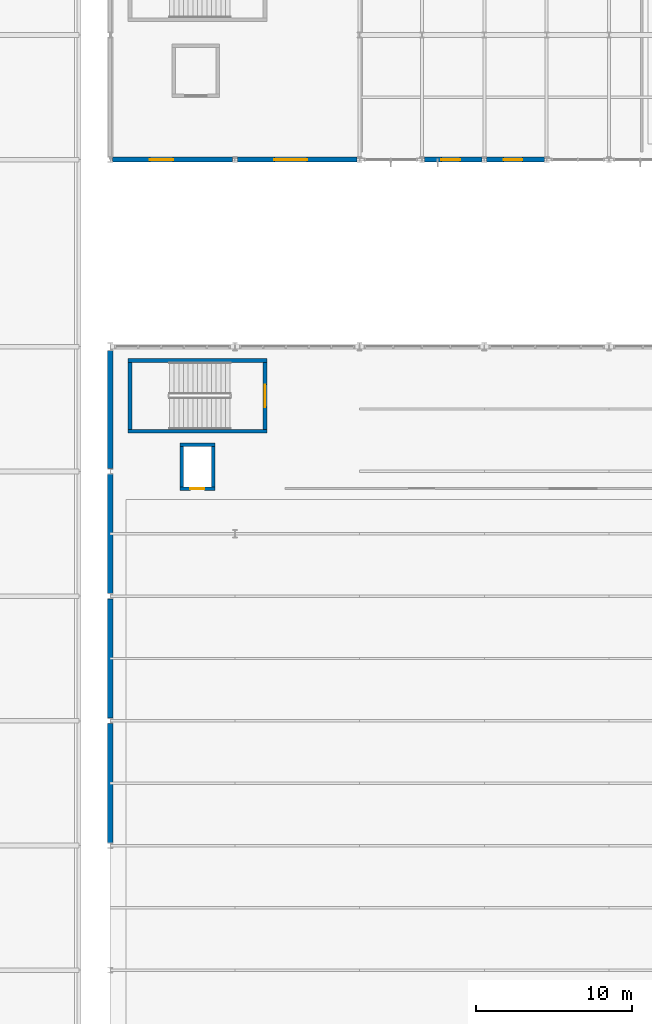
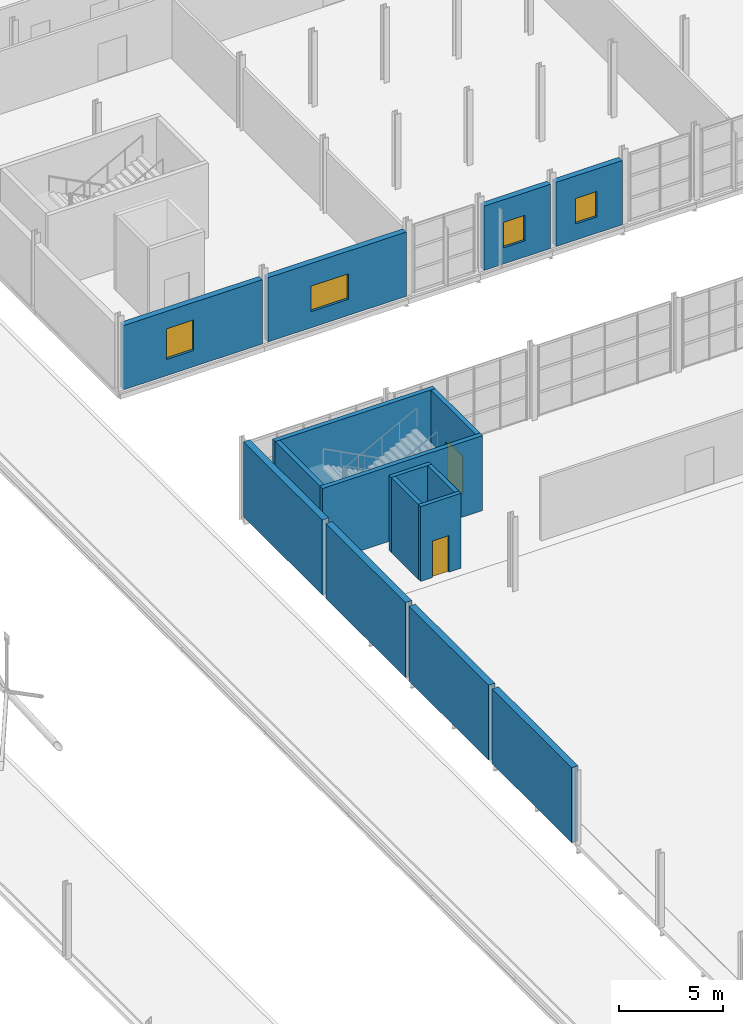
# One storey, part 137 of 153: 16 walls, 4 windows, 2 doors, 6 openings.
"""IFC4 building model written with IfcOpenShell, lengths in metres."""

from ifc_helpers import new_model, si_unit, derived_unit, direction, frame, frame_2d, origin, place, context, subcontext, project, spatial, rectangle, extrude, material, layer, layer_set, type_object, element, fill, save


model = new_model("IFC4")

# Units and contexts
model_context = context("Model", 3, precision=1e-05, world=origin(), true_north=direction((0.0, 1.0)))
body_context = subcontext(model_context, "Body", "Model", "MODEL_VIEW")
ifc_project = project(units=[si_unit("LENGTHUNIT", "METRE"), si_unit("AREAUNIT", "SQUARE_METRE"), si_unit("VOLUMEUNIT", "CUBIC_METRE"), si_unit("PLANEANGLEUNIT", "RADIAN"), si_unit("MASSUNIT", "GRAM", prefix="KILO"), derived_unit("THERMALTRANSMITTANCEUNIT", [(si_unit("POWERUNIT", "WATT"), 1), (si_unit("LENGTHUNIT", "METRE"), -2), (si_unit("THERMODYNAMICTEMPERATUREUNIT", "KELVIN"), -1)])], contexts=[model_context])

# Site, building, storey
site_placement = place(None, origin())
site = spatial("IfcSite", under=ifc_project, at=site_placement, CompositionType="ELEMENT")
building_placement = place(site_placement, origin())
building = spatial("IfcBuilding", under=site, at=building_placement, Name="Keldorne Ridge Multi-Sports Centre", CompositionType="ELEMENT")
storey_placement = place(building_placement, frame((0.0, 0.0, 9.60009765625)))
storey = spatial("IfcBuildingStorey", under=building, at=storey_placement, Name="L02", CompositionType="ELEMENT", Elevation=9.60009765625)

# Wall, opening, window
ifc_material_1 = material(Name="Precast concrete C40/50", Category="concrete")
ifc_layer_1 = layer(ifc_material_1, 0.320068359375)
ifc_layer_set_1 = layer_set([ifc_layer_1], Name="Precast concrete C40/50")
wall_type_1 = type_object("IfcWallType", Name="WAL-PR-W1", PredefinedType="STANDARD", material=ifc_layer_set_1)
wall_1_placement = place(storey_placement, frame((104.152099609375, 66.0, 0.0), z_axis=(0.0, 0.0, 1.0), x_axis=(1.0, 0.0, 0.0)))
wall_1 = element("IfcWall", 1, at=wall_1_placement, inside=storey, type_object=wall_type_1, Name="East Wing L02 south facade 1", PredefinedType="STANDARD", context=body_context, shape_type="SweptSolid", body=[
    extrude(rectangle(XDim=7.69580078125, YDim=0.320068359375, at=frame_2d((3.847900390625, 0.0))), origin(), (0.0, 0.0, 1.0), 3.77490234375),
])
opening_1_placement = place(wall_1_placement, frame((2.387939453125, 0.0, 0.949951171875)))
opening_1 = element("IfcOpeningElement", 2, at=opening_1_placement, cuts=wall_1, Name="Opening W-05", PredefinedType="OPENING", context=body_context, shape_type="SweptSolid", body=[
    extrude(rectangle(XDim=1.5, YDim=1.800048828125, at=frame_2d((0.75, 0.89990234375))), frame((0.0, 0.169921875, 0.0), z_axis=(0.0, -1.0, 0.0), x_axis=(1.0, 0.0, 0.0)), (0.0, 0.0, 1.0), 0.340087890625),
])
ifc_material_2 = material(Name="Anodized aluminium", Category="aluminium")
window_type_1 = type_object("IfcWindowType", Name="WIN-W-05", PartitioningType="SINGLE_PANEL", PredefinedType="WINDOW", material=ifc_material_2)
window_1_placement = place(opening_1_placement, origin())
window_1 = element("IfcWindow", 3, at=window_1_placement, inside=storey, type_object=window_type_1, Name="East Wing L02 south window W-073", OverallHeight=1.800048828125, OverallWidth=1.5, PartitioningType="SINGLE_PANEL", PredefinedType="WINDOW", context=body_context, shape_type="SweptSolid", body=[
    extrude(rectangle(XDim=1.5, YDim=1.800048828125, at=frame_2d((0.75, 0.89990234375))), frame((0.0, 0.030029296875, 0.0), z_axis=(0.0, -1.0, 0.0), x_axis=(1.0, 0.0, 0.0)), (0.0, 0.0, 1.0), 0.06005859375),
])
fill(opening_1, window_1)

wall_2_placement = place(storey_placement, frame((112.152099609375, 66.0, 0.0), z_axis=(0.0, 0.0, 1.0), x_axis=(1.0, 0.0, 0.0)))
wall_2 = element("IfcWall", 4, at=wall_2_placement, inside=storey, type_object=wall_type_1, Name="East Wing L02 south facade 2", PredefinedType="STANDARD", context=body_context, shape_type="SweptSolid", body=[
    extrude(rectangle(XDim=7.69580078125, YDim=0.320068359375, at=frame_2d((3.847900390625, 0.0))), origin(), (0.0, 0.0, 1.0), 3.77490234375),
])
opening_2_placement = place(wall_2_placement, frame((2.387939453125, 0.0, 0.949951171875)))
opening_2 = element("IfcOpeningElement", 5, at=opening_2_placement, cuts=wall_2, Name="Opening W-06", PredefinedType="OPENING", context=body_context, shape_type="SweptSolid", body=[
    extrude(rectangle(XDim=2.10009765625, YDim=1.5, at=frame_2d((1.050048828125, 0.75))), frame((0.0, 0.169921875, 0.0), z_axis=(0.0, -1.0, 0.0), x_axis=(1.0, 0.0, 0.0)), (0.0, 0.0, 1.0), 0.340087890625),
])
window_type_2 = type_object("IfcWindowType", Name="WIN-W-06", PartitioningType="DOUBLE_PANEL_VERTICAL", PredefinedType="WINDOW", material=ifc_material_2)
window_2_placement = place(opening_2_placement, origin())
window_2 = element("IfcWindow", 6, at=window_2_placement, inside=storey, type_object=window_type_2, Name="East Wing L02 south window W-074", OverallHeight=1.5, OverallWidth=2.10009765625, PartitioningType="SINGLE_PANEL", PredefinedType="WINDOW", context=body_context, shape_type="SweptSolid", body=[
    extrude(rectangle(XDim=2.10009765625, YDim=1.5, at=frame_2d((1.050048828125, 0.75))), frame((0.0, 0.030029296875, 0.0), z_axis=(0.0, -1.0, 0.0), x_axis=(1.0, 0.0, 0.0)), (0.0, 0.0, 1.0), 0.06005859375),
])
fill(opening_2, window_2)

wall_3_placement = place(storey_placement, frame((124.152099609375, 66.0, 0.0), z_axis=(0.0, 0.0, 1.0), x_axis=(1.0, 0.0, 0.0)))
wall_3 = element("IfcWall", 7, at=wall_3_placement, inside=storey, type_object=wall_type_1, Name="East Wing L02 south facade 4", PredefinedType="STANDARD", context=body_context, shape_type="SweptSolid", body=[
    extrude(rectangle(XDim=3.69580078125, YDim=0.320068359375, at=frame_2d((1.847900390625, 0.0))), origin(), (0.0, 0.0, 1.0), 3.77490234375),
])
opening_3_placement = place(wall_3_placement, frame((1.087890625, 0.0, 0.949951171875)))
opening_3 = element("IfcOpeningElement", 8, at=opening_3_placement, cuts=wall_3, Name="Opening W-03", PredefinedType="OPENING", context=body_context, shape_type="SweptSolid", body=[
    extrude(rectangle(XDim=1.199951171875, YDim=1.5, at=frame_2d((0.60009765625, 0.75))), frame((0.0, 0.169921875, 0.0), z_axis=(0.0, -1.0, 0.0), x_axis=(1.0, 0.0, 0.0)), (0.0, 0.0, 1.0), 0.340087890625),
])
window_type_3 = type_object("IfcWindowType", Name="WIN-W-03", PartitioningType="SINGLE_PANEL", PredefinedType="WINDOW", material=ifc_material_2)
window_3_placement = place(opening_3_placement, origin())
window_3 = element("IfcWindow", 9, at=window_3_placement, inside=storey, type_object=window_type_3, Name="East Wing L02 south window W-075", OverallHeight=1.5, OverallWidth=1.199951171875, PartitioningType="SINGLE_PANEL", PredefinedType="WINDOW", context=body_context, shape_type="SweptSolid", body=[
    extrude(rectangle(XDim=1.199951171875, YDim=1.5, at=frame_2d((0.60009765625, 0.75))), frame((0.0, 0.030029296875, 0.0), z_axis=(0.0, -1.0, 0.0), x_axis=(1.0, 0.0, 0.0)), (0.0, 0.0, 1.0), 0.06005859375),
])
fill(opening_3, window_3)

wall_4_placement = place(storey_placement, frame((128.152099609375, 66.0, 0.0), z_axis=(0.0, 0.0, 1.0), x_axis=(1.0, 0.0, 0.0)))
wall_4 = element("IfcWall", 10, at=wall_4_placement, inside=storey, type_object=wall_type_1, Name="East Wing L02 south facade 5", PredefinedType="STANDARD", context=body_context, shape_type="SweptSolid", body=[
    extrude(rectangle(XDim=3.69580078125, YDim=0.320068359375, at=frame_2d((1.847900390625, 0.0))), origin(), (0.0, 0.0, 1.0), 3.77490234375),
])
opening_4_placement = place(wall_4_placement, frame((1.087890625, 0.0, 0.949951171875)))
opening_4 = element("IfcOpeningElement", 11, at=opening_4_placement, cuts=wall_4, Name="Opening W-03", PredefinedType="OPENING", context=body_context, shape_type="SweptSolid", body=[
    extrude(rectangle(XDim=1.199951171875, YDim=1.5, at=frame_2d((0.60009765625, 0.75))), frame((0.0, 0.169921875, 0.0), z_axis=(0.0, -1.0, 0.0), x_axis=(1.0, 0.0, 0.0)), (0.0, 0.0, 1.0), 0.340087890625),
])
window_4_placement = place(opening_4_placement, origin())
window_4 = element("IfcWindow", 12, at=window_4_placement, inside=storey, type_object=window_type_3, Name="East Wing L02 south window W-076", OverallHeight=1.5, OverallWidth=1.199951171875, PartitioningType="SINGLE_PANEL", PredefinedType="WINDOW", context=body_context, shape_type="SweptSolid", body=[
    extrude(rectangle(XDim=1.199951171875, YDim=1.5, at=frame_2d((0.60009765625, 0.75))), frame((0.0, 0.030029296875, 0.0), z_axis=(0.0, -1.0, 0.0), x_axis=(1.0, 0.0, 0.0)), (0.0, 0.0, 1.0), 0.06005859375),
])
fill(opening_4, window_4)

# Walls
ifc_layer_2 = layer(ifc_material_1, 0.360107421875)
ifc_layer_set_2 = layer_set([ifc_layer_2], Name="Precast concrete C40/50")
wall_type_2 = type_object("IfcWallType", Name="WAL-PR-W2", PredefinedType="STANDARD", material=ifc_layer_set_2)
for number, where, z_axis, x_axis, name in (
    (13, (104.0, 29.827880859375, 0.0), (0.0, 0.0, 1.0), (0.0, -1.0, 0.0), "Stacked Courts movement-joint wall L02.3"),
    (14, (104.0, 37.827880859375, 0.0), (0.0, 0.0, 1.0), (0.0, -1.0, 0.0), "Stacked Courts movement-joint wall L02.4"),
    (15, (104.0, 45.827880859375, 0.0), (0.0, 0.0, 1.0), (0.0, -1.0, 0.0), "Stacked Courts movement-joint wall L02.5"),
):
    element("IfcWall", number, at=place(storey_placement, frame(where, z_axis=z_axis, x_axis=x_axis)), inside=storey, type_object=wall_type_2, Name=name, PredefinedType="STANDARD", context=body_context, shape_type="SweptSolid", body=[
        extrude(rectangle(XDim=7.65576171875, YDim=0.360107421875, at=frame_2d((3.827880859375, 0.0))), origin(), (0.0, 0.0, 1.0), 4.39990234375),
    ])
wall_5_placement = place(storey_placement, frame((104.0, 53.748046875, 0.0), z_axis=(0.0, 0.0, 1.0), x_axis=(0.0, -1.0, 0.0)))
element("IfcWall", 16, at=wall_5_placement, inside=storey, type_object=wall_type_2, Name="Stacked Courts movement-joint wall L02.6", PredefinedType="STANDARD", context=body_context, shape_type="SweptSolid", body=[
    extrude(rectangle(XDim=7.575927734375, YDim=0.360107421875, at=frame_2d((3.7880859375, 0.0))), origin(), (0.0, 0.0, 1.0), 4.39990234375),
])

# Wall, opening, door
ifc_material_3 = material(Name="Concrete C40/50", Category="concrete")
ifc_layer_3 = layer(ifc_material_3, 0.25)
ifc_layer_set_3 = layer_set([ifc_layer_3], Name="Concrete C40/50")
wall_type_3 = type_object("IfcWallType", Name="WAL-SW01", PredefinedType="SHEAR", material=ifc_layer_set_3)
wall_6_placement = place(storey_placement, frame((113.925048828125, 48.699951171875, 0.0), z_axis=(0.0, 0.0, 1.0), x_axis=(0.0, 1.0, 0.0)))
wall_6 = element("IfcWall", 17, at=wall_6_placement, inside=storey, type_object=wall_type_3, Name="Stair ST-04 shaft wall L02 NEAR", PredefinedType="SHEAR", context=body_context, shape_type="SweptSolid", body=[
    extrude(rectangle(XDim=4.300048828125, YDim=0.25, at=frame_2d((2.14990234375, 0.0))), origin(), (0.0, 0.0, 1.0), 4.39990234375),
])
opening_5_placement = place(wall_6_placement, frame((1.425048828125, 0.0, 0.0)))
opening_5 = element("IfcOpeningElement", 18, at=opening_5_placement, cuts=wall_6, Name="Opening D-05", PredefinedType="OPENING", context=body_context, shape_type="SweptSolid", body=[
    extrude(rectangle(XDim=1.449951171875, YDim=2.199951171875, at=frame_2d((0.72509765625, 1.10009765625))), frame((0.0, 0.135009765625, 0.0), z_axis=(0.0, -1.0, 0.0), x_axis=(1.0, 0.0, 0.0)), (0.0, 0.0, 1.0), 0.27001953125),
])
ifc_material_4 = material(Name="Steel fire-resisting pair", Category="steel")
door_type_1 = type_object("IfcDoorType", Name="DR-D-05", OperationType="NOTDEFINED", PredefinedType="DOOR", material=ifc_material_4)
door_1_placement = place(opening_5_placement, origin())
door_1 = element("IfcDoor", 19, at=door_1_placement, inside=storey, type_object=door_type_1, Name="Stair ST-04 L02 fire door D-021", OperationType="DOUBLE_DOOR_SINGLE_SWING", OverallHeight=2.199951171875, OverallWidth=1.449951171875, PredefinedType="DOOR", context=body_context, shape_type="SweptSolid", body=[
    extrude(rectangle(XDim=1.449951171875, YDim=2.199951171875, at=frame_2d((0.72509765625, 1.10009765625))), frame((0.0, 0.02490234375, 0.0), z_axis=(0.0, -1.0, 0.0), x_axis=(1.0, 0.0, 0.0)), (0.0, 0.0, 1.0), 0.050048828125),
])
fill(opening_5, door_1)

# Walls
wall_7_placement = place(storey_placement, frame((105.27490234375, 53.0, 0.0), z_axis=(0.0, 0.0, 1.0), x_axis=(0.0, -1.0, 0.0)))
element("IfcWall", 20, at=wall_7_placement, inside=storey, type_object=wall_type_3, Name="Stair ST-04 shaft wall L02 FAR", PredefinedType="SHEAR", context=body_context, shape_type="SweptSolid", body=[
    extrude(rectangle(XDim=4.300048828125, YDim=0.25, at=frame_2d((2.14990234375, 0.0))), origin(), (0.0, 0.0, 1.0), 4.39990234375),
])
for number, where, z_axis, x_axis, name in (
    (21, (105.14990234375, 48.574951171875, 0.0), (0.0, 0.0, 1.0), (1.0, 0.0, 0.0), "Stair ST-04 shaft wall L02 SOUTH"),
    (22, (114.050048828125, 53.125, 0.0), (0.0, 0.0, 1.0), (-1.0, 0.0, 0.0), "Stair ST-04 shaft wall L02 NORTH"),
):
    element("IfcWall", number, at=place(storey_placement, frame(where, z_axis=z_axis, x_axis=x_axis)), inside=storey, type_object=wall_type_3, Name=name, PredefinedType="SHEAR", context=body_context, shape_type="SweptSolid", body=[
        extrude(rectangle(XDim=8.900146484375, YDim=0.25, at=frame_2d((4.4501953125, 0.0))), origin(), (0.0, 0.0, 1.0), 4.39990234375),
    ])

# Wall, opening, door
ifc_layer_4 = layer(ifc_material_3, 0.22998046875)
ifc_layer_set_4 = layer_set([ifc_layer_4], Name="Concrete C40/50")
wall_type_4 = type_object("IfcWallType", Name="WAL-SW02", PredefinedType="SHEAR", material=ifc_layer_set_4)
wall_8_placement = place(storey_placement, frame((108.47998046875, 44.889892578125, 0.0), z_axis=(0.0, 0.0, 1.0), x_axis=(1.0, 0.0, 0.0)))
wall_8 = element("IfcWall", 23, at=wall_8_placement, inside=storey, type_object=wall_type_4, Name="Lift L-03 shaft wall L02 south", PredefinedType="SHEAR", context=body_context, shape_type="SweptSolid", body=[
    extrude(rectangle(XDim=2.239990234375, YDim=0.219970703125, at=frame_2d((1.1201171875, 0.0))), origin(), (0.0, 0.0, 1.0), 4.39990234375),
])
opening_6_placement = place(wall_8_placement, frame((0.669921875, 0.0, 0.0)))
opening_6 = element("IfcOpeningElement", 24, at=opening_6_placement, cuts=wall_8, Name="Opening LD-02", PredefinedType="OPENING", context=body_context, shape_type="SweptSolid", body=[
    extrude(rectangle(XDim=0.89990234375, YDim=2.14990234375, at=frame_2d((0.449951171875, 1.074951171875))), frame((0.0, 0.1201171875, 0.0), z_axis=(0.0, -1.0, 0.0), x_axis=(1.0, 0.0, 0.0)), (0.0, 0.0, 1.0), 0.239990234375),
])
ifc_material_5 = material(Name="Stainless steel", Category="steel")
door_type_2 = type_object("IfcDoorType", Name="DR-LD-02", OperationType="NOTDEFINED", PredefinedType="DOOR", material=ifc_material_5)
door_2_placement = place(opening_6_placement, origin())
door_2 = element("IfcDoor", 25, at=door_2_placement, inside=storey, type_object=door_type_2, Name="Lift L-03 sliding landing door L02", OperationType="SLIDING_TO_LEFT", OverallHeight=2.14990234375, OverallWidth=0.89990234375, PredefinedType="DOOR", context=body_context, shape_type="SweptSolid", body=[
    extrude(rectangle(XDim=0.89990234375, YDim=2.14990234375, at=frame_2d((0.449951171875, 1.074951171875))), frame((0.0, 0.02490234375, 0.0), z_axis=(0.0, -1.0, 0.0), x_axis=(1.0, 0.0, 0.0)), (0.0, 0.0, 1.0), 0.050048828125),
])
fill(opening_6, door_2)

# Walls
wall_9_placement = place(storey_placement, frame((110.719970703125, 47.7099609375, 0.0), z_axis=(0.0, 0.0, 1.0), x_axis=(-1.0, 0.0, 0.0)))
element("IfcWall", 26, at=wall_9_placement, inside=storey, type_object=wall_type_4, Name="Lift L-03 shaft wall L02 north", PredefinedType="SHEAR", context=body_context, shape_type="SweptSolid", body=[
    extrude(rectangle(XDim=2.239990234375, YDim=0.219970703125, at=frame_2d((1.1201171875, 0.0))), origin(), (0.0, 0.0, 1.0), 4.39990234375),
])
for number, where, z_axis, x_axis, name in (
    (27, (108.590087890625, 47.60009765625, 0.0), (0.0, 0.0, 1.0), (0.0, -1.0, 0.0), "Lift L-03 shaft wall L02 west"),
    (28, (110.610107421875, 45.0, 0.0), (0.0, 0.0, 1.0), (0.0, 1.0, 0.0), "Lift L-03 shaft wall L02 east"),
):
    element("IfcWall", number, at=place(storey_placement, frame(where, z_axis=z_axis, x_axis=x_axis)), inside=storey, type_object=wall_type_4, Name=name, PredefinedType="SHEAR", context=body_context, shape_type="SweptSolid", body=[
        extrude(rectangle(XDim=2.60009765625, YDim=0.219970703125, at=frame_2d((1.300048828125, 0.0))), origin(), (0.0, 0.0, 1.0), 4.39990234375),
    ])

save(model, "model.ifc")
